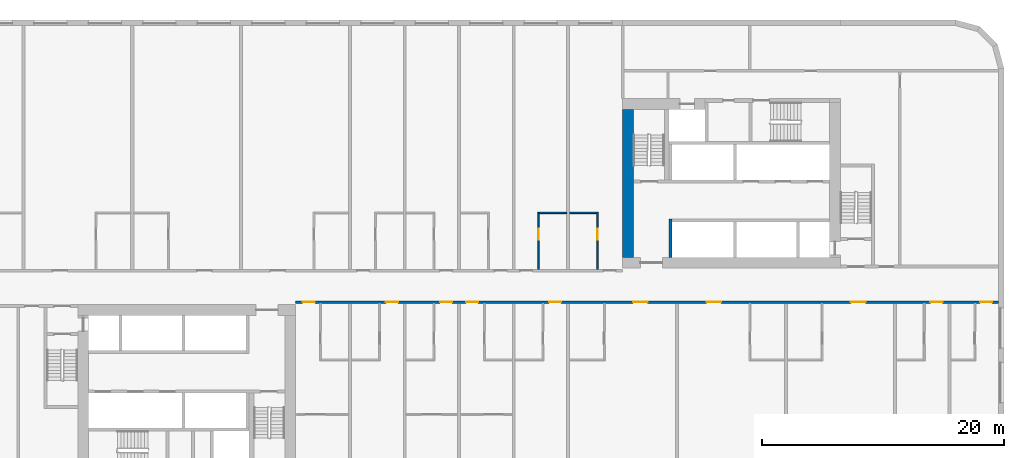
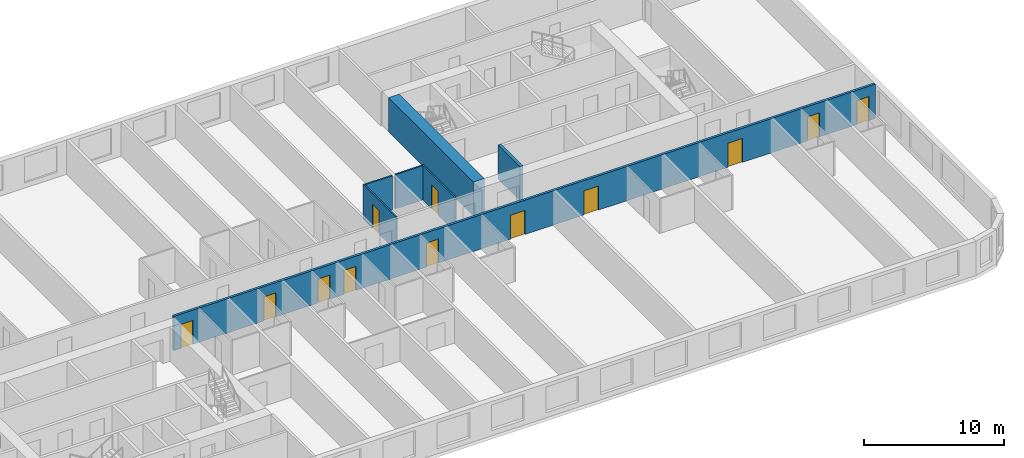
# One storey, part 5 of 12: 12 doors, 7 walls, 12 openings.
"""IFC4 building model written with IfcOpenShell, lengths in metres."""

from ifc_helpers import new_model, si_unit, direction, frame, frame_2d, origin, place, context, subcontext, project, spatial, rectangle, extrude, material, layer, layer_set, type_object, element, fill, save


model = new_model("IFC4")

# Units and contexts
model_context = context("Model", 3, precision=1e-05, world=origin(), true_north=direction((0.0, 1.0)))
body_context = subcontext(model_context, "Body", "Model", "MODEL_VIEW")
ifc_project = project(units=[si_unit("LENGTHUNIT", "METRE"), si_unit("AREAUNIT", "SQUARE_METRE"), si_unit("VOLUMEUNIT", "CUBIC_METRE"), si_unit("PLANEANGLEUNIT", "RADIAN"), si_unit("MASSUNIT", "GRAM", prefix="KILO")], contexts=[model_context])

# Site, building, storey
site_placement = place(None, origin())
site = spatial("IfcSite", under=ifc_project, at=site_placement, CompositionType="ELEMENT")
building_placement = place(site_placement, origin())
building = spatial("IfcBuilding", under=site, at=building_placement, Name="Kajstack Hotel Tower", CompositionType="ELEMENT")
storey_placement = place(building_placement, frame((0.0, 0.0, 96.300048828125)))
storey = spatial("IfcBuildingStorey", under=building, at=storey_placement, Name="L20", CompositionType="ELEMENT", Elevation=96.300048828125)

# Wall
ifc_material_1 = material(Name="Concrete C60/75", Category="concrete")
ifc_layer_1 = layer(ifc_material_1, 0.89990234375)
ifc_layer_set_1 = layer_set([ifc_layer_1], Name="Core wall 900")
wall_type_1 = type_object("IfcWallType", Name="Core wall 900", PredefinedType="SHEAR", material=ifc_layer_set_1)
wall_1_placement = place(storey_placement, frame((13.949951171875, 2.39990234375, 0.0), z_axis=(0.0, 0.0, 1.0), x_axis=(0.0, 1.0, 0.0)))
element("IfcWall", 1, at=wall_1_placement, inside=storey, type_object=wall_type_1, Name="Core wall E RE", PredefinedType="SHEAR", context=body_context, shape_type="SweptSolid", body=[
    extrude(rectangle(XDim=12.2001953125, YDim=0.89990234375, at=frame_2d((6.10009765625, 0.0))), origin(), (0.0, 0.0, 1.0), 3.0),
])

# Wall, openings, doors
ifc_material_2 = material(Name="Gypsum board on steel studs, mineral wool", Category="steel")
ifc_layer_2 = layer(ifc_material_2, 0.199951171875)
ifc_layer_set_2 = layer_set([ifc_layer_2], Name="Corridor wall 200")
wall_type_2 = type_object("IfcWallType", Name="Corridor wall 200", PredefinedType="PARTITIONING", material=ifc_layer_set_2)
wall_2_placement = place(storey_placement, frame((-13.5, -1.300048828125, 0.0), z_axis=(0.0, 0.0, 1.0), x_axis=(1.0, 0.0, 0.0)))
wall_2 = element("IfcWall", 2, at=wall_2_placement, inside=storey, type_object=wall_type_2, Name="G-wall-L20-026", PredefinedType="PARTITIONING", context=body_context, shape_type="SweptSolid", body=[
    extrude(rectangle(XDim=58.050048828125, YDim=0.199951171875, at=frame_2d((29.02490234375, 0.0))), origin(), (0.0, 0.0, 1.0), 3.0),
])
opening_1_placement = place(wall_2_placement, frame((0.574951171875, 0.0, 0.0)))
opening_1 = element("IfcOpeningElement", 3, at=opening_1_placement, cuts=wall_2, Name="Opening 20021", PredefinedType="OPENING", context=body_context, shape_type="SweptSolid", body=[
    extrude(rectangle(XDim=1.0, YDim=2.10009765625, at=frame_2d((0.5, 1.050048828125))), frame((0.0, 0.10986328125, 0.0), z_axis=(0.0, -1.0, 0.0), x_axis=(1.0, 0.0, 0.0)), (0.0, 0.0, 1.0), 0.219970703125),
])
opening_2_placement = place(wall_2_placement, frame((7.449951171875, 0.0, 0.0)))
opening_2 = element("IfcOpeningElement", 4, at=opening_2_placement, cuts=wall_2, Name="Opening 20024", PredefinedType="OPENING", context=body_context, shape_type="SweptSolid", body=[
    extrude(rectangle(XDim=1.0, YDim=2.10009765625, at=frame_2d((0.5, 1.050048828125))), frame((0.0, 0.10986328125, 0.0), z_axis=(0.0, -1.0, 0.0), x_axis=(1.0, 0.0, 0.0)), (0.0, 0.0, 1.0), 0.219970703125),
])
opening_3_placement = place(wall_2_placement, frame((11.925048828125, 0.0, 0.0)))
opening_3 = element("IfcOpeningElement", 5, at=opening_3_placement, cuts=wall_2, Name="Opening 20026", PredefinedType="OPENING", context=body_context, shape_type="SweptSolid", body=[
    extrude(rectangle(XDim=1.0, YDim=2.10009765625, at=frame_2d((0.5, 1.050048828125))), frame((0.0, 0.10986328125, 0.0), z_axis=(0.0, -1.0, 0.0), x_axis=(1.0, 0.0, 0.0)), (0.0, 0.0, 1.0), 0.219970703125),
])
opening_4_placement = place(wall_2_placement, frame((14.074951171875, 0.0, 0.0)))
opening_4 = element("IfcOpeningElement", 6, at=opening_4_placement, cuts=wall_2, Name="Opening 20029", PredefinedType="OPENING", context=body_context, shape_type="SweptSolid", body=[
    extrude(rectangle(XDim=1.0, YDim=2.10009765625, at=frame_2d((0.5, 1.050048828125))), frame((0.0, 0.10986328125, 0.0), z_axis=(0.0, -1.0, 0.0), x_axis=(1.0, 0.0, 0.0)), (0.0, 0.0, 1.0), 0.219970703125),
])
opening_5_placement = place(wall_2_placement, frame((20.925048828125, 0.0, 0.0)))
opening_5 = element("IfcOpeningElement", 7, at=opening_5_placement, cuts=wall_2, Name="Opening 20032", PredefinedType="OPENING", context=body_context, shape_type="SweptSolid", body=[
    extrude(rectangle(XDim=1.0, YDim=2.10009765625, at=frame_2d((0.5, 1.050048828125))), frame((0.0, 0.10986328125, 0.0), z_axis=(0.0, -1.0, 0.0), x_axis=(1.0, 0.0, 0.0)), (0.0, 0.0, 1.0), 0.219970703125),
])
opening_6_placement = place(wall_2_placement, frame((27.862060546875, 0.0, 0.0)))
opening_6 = element("IfcOpeningElement", 8, at=opening_6_placement, cuts=wall_2, Name="Opening 20034", PredefinedType="OPENING", context=body_context, shape_type="SweptSolid", body=[
    extrude(rectangle(XDim=1.199951171875, YDim=2.10009765625, at=frame_2d((0.60009765625, 1.050048828125))), frame((0.0, 0.10986328125, 0.0), z_axis=(0.0, -1.0, 0.0), x_axis=(1.0, 0.0, 0.0)), (0.0, 0.0, 1.0), 0.219970703125),
])
opening_7_placement = place(wall_2_placement, frame((33.93798828125, 0.0, 0.0)))
opening_7 = element("IfcOpeningElement", 9, at=opening_7_placement, cuts=wall_2, Name="Opening 20036", PredefinedType="OPENING", context=body_context, shape_type="SweptSolid", body=[
    extrude(rectangle(XDim=1.199951171875, YDim=2.10009765625, at=frame_2d((0.60009765625, 1.050048828125))), frame((0.0, 0.10986328125, 0.0), z_axis=(0.0, -1.0, 0.0), x_axis=(1.0, 0.0, 0.0)), (0.0, 0.0, 1.0), 0.219970703125),
])
opening_8_placement = place(wall_2_placement, frame((45.862060546875, 0.0, 0.0)))
opening_8 = element("IfcOpeningElement", 10, at=opening_8_placement, cuts=wall_2, Name="Opening 20038", PredefinedType="OPENING", context=body_context, shape_type="SweptSolid", body=[
    extrude(rectangle(XDim=1.199951171875, YDim=2.10009765625, at=frame_2d((0.60009765625, 1.050048828125))), frame((0.0, 0.10986328125, 0.0), z_axis=(0.0, -1.0, 0.0), x_axis=(1.0, 0.0, 0.0)), (0.0, 0.0, 1.0), 0.219970703125),
])
opening_9_placement = place(wall_2_placement, frame((52.425048828125, 0.0, 0.0)))
opening_9 = element("IfcOpeningElement", 11, at=opening_9_placement, cuts=wall_2, Name="Opening 20040", PredefinedType="OPENING", context=body_context, shape_type="SweptSolid", body=[
    extrude(rectangle(XDim=1.0, YDim=2.10009765625, at=frame_2d((0.5, 1.050048828125))), frame((0.0, 0.10986328125, 0.0), z_axis=(0.0, -1.0, 0.0), x_axis=(1.0, 0.0, 0.0)), (0.0, 0.0, 1.0), 0.219970703125),
])
opening_10_placement = place(wall_2_placement, frame((56.52490234375, 0.0, 0.0)))
opening_10 = element("IfcOpeningElement", 12, at=opening_10_placement, cuts=wall_2, Name="Opening 20042", PredefinedType="OPENING", context=body_context, shape_type="SweptSolid", body=[
    extrude(rectangle(XDim=1.0, YDim=2.10009765625, at=frame_2d((0.5, 1.050048828125))), frame((0.0, 0.10986328125, 0.0), z_axis=(0.0, -1.0, 0.0), x_axis=(1.0, 0.0, 0.0)), (0.0, 0.0, 1.0), 0.219970703125),
])
ifc_material_3 = material(Name="Oak veneer on timber core, fire-rated leaf", Category="wood")
door_type_1 = type_object("IfcDoorType", Name="Flat entrance door 1000", OperationType="SINGLE_SWING_LEFT", PredefinedType="DOOR", material=ifc_material_3)
door_1_placement = place(opening_1_placement, origin())
door_1 = element("IfcDoor", 13, at=door_1_placement, inside=storey, type_object=door_type_1, Name="G-door-L20-21", OperationType="SINGLE_SWING_RIGHT", OverallHeight=2.10009765625, OverallWidth=1.0, PredefinedType="DOOR", context=body_context, shape_type="SweptSolid", body=[
    extrude(rectangle(XDim=1.0, YDim=2.10009765625, at=frame_2d((0.5, 1.050048828125))), frame((0.0, 0.02490234375, 0.0), z_axis=(0.0, -1.0, 0.0), x_axis=(1.0, 0.0, 0.0)), (0.0, 0.0, 1.0), 0.050048828125),
])
fill(opening_1, door_1)
door_2_placement = place(opening_2_placement, origin())
door_2 = element("IfcDoor", 14, at=door_2_placement, inside=storey, type_object=door_type_1, Name="G-door-L20-24", OperationType="SINGLE_SWING_RIGHT", OverallHeight=2.10009765625, OverallWidth=1.0, PredefinedType="DOOR", context=body_context, shape_type="SweptSolid", body=[
    extrude(rectangle(XDim=1.0, YDim=2.10009765625, at=frame_2d((0.5, 1.050048828125))), frame((0.0, 0.02490234375, 0.0), z_axis=(0.0, -1.0, 0.0), x_axis=(1.0, 0.0, 0.0)), (0.0, 0.0, 1.0), 0.050048828125),
])
fill(opening_2, door_2)
door_3_placement = place(opening_3_placement, origin())
door_3 = element("IfcDoor", 15, at=door_3_placement, inside=storey, type_object=door_type_1, Name="G-door-L20-26", OperationType="SINGLE_SWING_LEFT", OverallHeight=2.10009765625, OverallWidth=1.0, PredefinedType="DOOR", context=body_context, shape_type="SweptSolid", body=[
    extrude(rectangle(XDim=1.0, YDim=2.10009765625, at=frame_2d((0.5, 1.050048828125))), frame((0.0, 0.02490234375, 0.0), z_axis=(0.0, -1.0, 0.0), x_axis=(1.0, 0.0, 0.0)), (0.0, 0.0, 1.0), 0.050048828125),
])
fill(opening_3, door_3)
door_4_placement = place(opening_4_placement, origin())
door_4 = element("IfcDoor", 16, at=door_4_placement, inside=storey, type_object=door_type_1, Name="G-door-L20-29", OperationType="SINGLE_SWING_RIGHT", OverallHeight=2.10009765625, OverallWidth=1.0, PredefinedType="DOOR", context=body_context, shape_type="SweptSolid", body=[
    extrude(rectangle(XDim=1.0, YDim=2.10009765625, at=frame_2d((0.5, 1.050048828125))), frame((0.0, 0.02490234375, 0.0), z_axis=(0.0, -1.0, 0.0), x_axis=(1.0, 0.0, 0.0)), (0.0, 0.0, 1.0), 0.050048828125),
])
fill(opening_4, door_4)
door_5_placement = place(opening_5_placement, origin())
door_5 = element("IfcDoor", 17, at=door_5_placement, inside=storey, type_object=door_type_1, Name="G-door-L20-32", OperationType="SINGLE_SWING_LEFT", OverallHeight=2.10009765625, OverallWidth=1.0, PredefinedType="DOOR", context=body_context, shape_type="SweptSolid", body=[
    extrude(rectangle(XDim=1.0, YDim=2.10009765625, at=frame_2d((0.5, 1.050048828125))), frame((0.0, 0.02490234375, 0.0), z_axis=(0.0, -1.0, 0.0), x_axis=(1.0, 0.0, 0.0)), (0.0, 0.0, 1.0), 0.050048828125),
])
fill(opening_5, door_5)
door_6_placement = place(opening_9_placement, origin())
door_6 = element("IfcDoor", 18, at=door_6_placement, inside=storey, type_object=door_type_1, Name="G-door-L20-40", OperationType="SINGLE_SWING_RIGHT", OverallHeight=2.10009765625, OverallWidth=1.0, PredefinedType="DOOR", context=body_context, shape_type="SweptSolid", body=[
    extrude(rectangle(XDim=1.0, YDim=2.10009765625, at=frame_2d((0.5, 1.050048828125))), frame((0.0, 0.02490234375, 0.0), z_axis=(0.0, -1.0, 0.0), x_axis=(1.0, 0.0, 0.0)), (0.0, 0.0, 1.0), 0.050048828125),
])
fill(opening_9, door_6)
door_7_placement = place(opening_10_placement, origin())
door_7 = element("IfcDoor", 19, at=door_7_placement, inside=storey, type_object=door_type_1, Name="G-door-L20-42", OperationType="SINGLE_SWING_LEFT", OverallHeight=2.10009765625, OverallWidth=1.0, PredefinedType="DOOR", context=body_context, shape_type="SweptSolid", body=[
    extrude(rectangle(XDim=1.0, YDim=2.10009765625, at=frame_2d((0.5, 1.050048828125))), frame((0.0, 0.02490234375, 0.0), z_axis=(0.0, -1.0, 0.0), x_axis=(1.0, 0.0, 0.0)), (0.0, 0.0, 1.0), 0.050048828125),
])
fill(opening_10, door_7)
door_type_2 = type_object("IfcDoorType", Name="Flat entrance door 1200", OperationType="SINGLE_SWING_LEFT", PredefinedType="DOOR", material=ifc_material_3)
door_8_placement = place(opening_6_placement, origin())
door_8 = element("IfcDoor", 20, at=door_8_placement, inside=storey, type_object=door_type_2, Name="G-door-L20-34", OperationType="SINGLE_SWING_LEFT", OverallHeight=2.10009765625, OverallWidth=1.199951171875, PredefinedType="DOOR", context=body_context, shape_type="SweptSolid", body=[
    extrude(rectangle(XDim=1.199951171875, YDim=2.10009765625, at=frame_2d((0.60009765625, 1.050048828125))), frame((0.0, 0.02490234375, 0.0), z_axis=(0.0, -1.0, 0.0), x_axis=(1.0, 0.0, 0.0)), (0.0, 0.0, 1.0), 0.050048828125),
])
fill(opening_6, door_8)
door_9_placement = place(opening_7_placement, origin())
door_9 = element("IfcDoor", 21, at=door_9_placement, inside=storey, type_object=door_type_2, Name="G-door-L20-36", OperationType="SINGLE_SWING_RIGHT", OverallHeight=2.10009765625, OverallWidth=1.199951171875, PredefinedType="DOOR", context=body_context, shape_type="SweptSolid", body=[
    extrude(rectangle(XDim=1.199951171875, YDim=2.10009765625, at=frame_2d((0.60009765625, 1.050048828125))), frame((0.0, 0.02490234375, 0.0), z_axis=(0.0, -1.0, 0.0), x_axis=(1.0, 0.0, 0.0)), (0.0, 0.0, 1.0), 0.050048828125),
])
fill(opening_7, door_9)
door_10_placement = place(opening_8_placement, origin())
door_10 = element("IfcDoor", 22, at=door_10_placement, inside=storey, type_object=door_type_2, Name="G-door-L20-38", OperationType="SINGLE_SWING_LEFT", OverallHeight=2.10009765625, OverallWidth=1.199951171875, PredefinedType="DOOR", context=body_context, shape_type="SweptSolid", body=[
    extrude(rectangle(XDim=1.199951171875, YDim=2.10009765625, at=frame_2d((0.60009765625, 1.050048828125))), frame((0.0, 0.02490234375, 0.0), z_axis=(0.0, -1.0, 0.0), x_axis=(1.0, 0.0, 0.0)), (0.0, 0.0, 1.0), 0.050048828125),
])
fill(opening_8, door_10)

# Wall, opening, door
ifc_material_4 = material(Name="Gypsum board and tiled backer on steel studs", Category="steel")
ifc_layer_3 = layer(ifc_material_4, 0.125)
ifc_layer_set_3 = layer_set([ifc_layer_3], Name="En-suite wall 125")
wall_type_3 = type_object("IfcWallType", Name="En-suite wall 125", PredefinedType="PARTITIONING", material=ifc_layer_set_3)
wall_3_placement = place(storey_placement, frame((6.56201171875, 1.39990234375, 0.0), z_axis=(0.0, 0.0, 1.0), x_axis=(0.0, 1.0, 0.0)))
wall_3 = element("IfcWall", 23, at=wall_3_placement, inside=storey, type_object=wall_type_3, Name="G-wall-L20-022", PredefinedType="PARTITIONING", context=body_context, shape_type="SweptSolid", body=[
    extrude(rectangle(XDim=4.72509765625, YDim=0.125, at=frame_2d((2.362548828125, 0.0))), origin(), (0.0, 0.0, 1.0), 3.0),
])
opening_11_placement = place(wall_3_placement, frame((2.449951171875, 0.0, 0.0)))
opening_11 = element("IfcOpeningElement", 24, at=opening_11_placement, cuts=wall_3, Name="Opening 20018", PredefinedType="OPENING", context=body_context, shape_type="SweptSolid", body=[
    extrude(rectangle(XDim=0.89990234375, YDim=2.10009765625, at=frame_2d((0.449951171875, 1.050048828125))), frame((0.0, 0.072509765625, 0.0), z_axis=(0.0, -1.0, 0.0), x_axis=(1.0, 0.0, 0.0)), (0.0, 0.0, 1.0), 0.14501953125),
])
ifc_material_5 = material(Name="Painted timber door leaf", Category="wood")
door_type_3 = type_object("IfcDoorType", Name="Room door 900", OperationType="SINGLE_SWING_LEFT", PredefinedType="DOOR", material=ifc_material_5)
door_11_placement = place(opening_11_placement, origin())
door_11 = element("IfcDoor", 25, at=door_11_placement, inside=storey, type_object=door_type_3, Name="G-door-L20-18", OperationType="SINGLE_SWING_LEFT", OverallHeight=2.10009765625, OverallWidth=0.89990234375, PredefinedType="DOOR", context=body_context, shape_type="SweptSolid", body=[
    extrude(rectangle(XDim=0.89990234375, YDim=2.10009765625, at=frame_2d((0.449951171875, 1.050048828125))), frame((0.0, 0.02490234375, 0.0), z_axis=(0.0, -1.0, 0.0), x_axis=(1.0, 0.0, 0.0)), (0.0, 0.0, 1.0), 0.050048828125),
])
fill(opening_11, door_11)

# Wall
wall_4_placement = place(storey_placement, frame((6.625, 6.06201171875, 0.0), z_axis=(0.0, 0.0, 1.0), x_axis=(1.0, 0.0, 0.0)))
element("IfcWall", 26, at=wall_4_placement, inside=storey, type_object=wall_type_3, Name="G-wall-L20-023", PredefinedType="PARTITIONING", context=body_context, shape_type="SweptSolid", body=[
    extrude(rectangle(XDim=2.25, YDim=0.125, at=frame_2d((1.125, 0.0))), origin(), (0.0, 0.0, 1.0), 3.0),
])

# Wall, opening, door
wall_5_placement = place(storey_placement, frame((11.43798828125, 1.39990234375, 0.0), z_axis=(0.0, 0.0, 1.0), x_axis=(0.0, 1.0, 0.0)))
wall_5 = element("IfcWall", 27, at=wall_5_placement, inside=storey, type_object=wall_type_3, Name="G-wall-L20-024", PredefinedType="PARTITIONING", context=body_context, shape_type="SweptSolid", body=[
    extrude(rectangle(XDim=4.72509765625, YDim=0.125, at=frame_2d((2.362548828125, 0.0))), origin(), (0.0, 0.0, 1.0), 3.0),
])
opening_12_placement = place(wall_5_placement, frame((2.449951171875, 0.0, 0.0)))
opening_12 = element("IfcOpeningElement", 28, at=opening_12_placement, cuts=wall_5, Name="Opening 20020", PredefinedType="OPENING", context=body_context, shape_type="SweptSolid", body=[
    extrude(rectangle(XDim=0.89990234375, YDim=2.10009765625, at=frame_2d((0.449951171875, 1.050048828125))), frame((0.0, 0.072509765625, 0.0), z_axis=(0.0, -1.0, 0.0), x_axis=(1.0, 0.0, 0.0)), (0.0, 0.0, 1.0), 0.14501953125),
])
door_12_placement = place(opening_12_placement, origin())
door_12 = element("IfcDoor", 29, at=door_12_placement, inside=storey, type_object=door_type_3, Name="G-door-L20-20", OperationType="SINGLE_SWING_LEFT", OverallHeight=2.10009765625, OverallWidth=0.89990234375, PredefinedType="DOOR", context=body_context, shape_type="SweptSolid", body=[
    extrude(rectangle(XDim=0.89990234375, YDim=2.10009765625, at=frame_2d((0.449951171875, 1.050048828125))), frame((0.0, 0.02490234375, 0.0), z_axis=(0.0, -1.0, 0.0), x_axis=(1.0, 0.0, 0.0)), (0.0, 0.0, 1.0), 0.050048828125),
])
fill(opening_12, door_12)

# Walls
wall_6_placement = place(storey_placement, frame((9.125, 6.06201171875, 0.0), z_axis=(0.0, 0.0, 1.0), x_axis=(1.0, 0.0, 0.0)))
element("IfcWall", 30, at=wall_6_placement, inside=storey, type_object=wall_type_3, Name="G-wall-L20-025", PredefinedType="PARTITIONING", context=body_context, shape_type="SweptSolid", body=[
    extrude(rectangle(XDim=2.25, YDim=0.125, at=frame_2d((1.125, 0.0))), origin(), (0.0, 0.0, 1.0), 3.0),
])
ifc_material_6 = material(Name="Concrete C50/60", Category="concrete")
ifc_layer_4 = layer(ifc_material_6, 0.25)
ifc_layer_set_4 = layer_set([ifc_layer_4], Name="Shaft wall 250")
wall_type_4 = type_object("IfcWallType", Name="Shaft wall 250", PredefinedType="SHEAR", material=ifc_layer_set_4)
wall_7_placement = place(storey_placement, frame((17.47509765625, 2.39990234375, 0.0), z_axis=(0.0, 0.0, 1.0), x_axis=(0.0, 1.0, 0.0)))
element("IfcWall", 31, at=wall_7_placement, inside=storey, type_object=wall_type_4, Name="Core wall E AE", PredefinedType="SHEAR", context=body_context, shape_type="SweptSolid", body=[
    extrude(rectangle(XDim=3.150146484375, YDim=0.25, at=frame_2d((1.5751953125, 0.0))), origin(), (0.0, 0.0, 1.0), 3.0),
])

save(model, "model.ifc")
